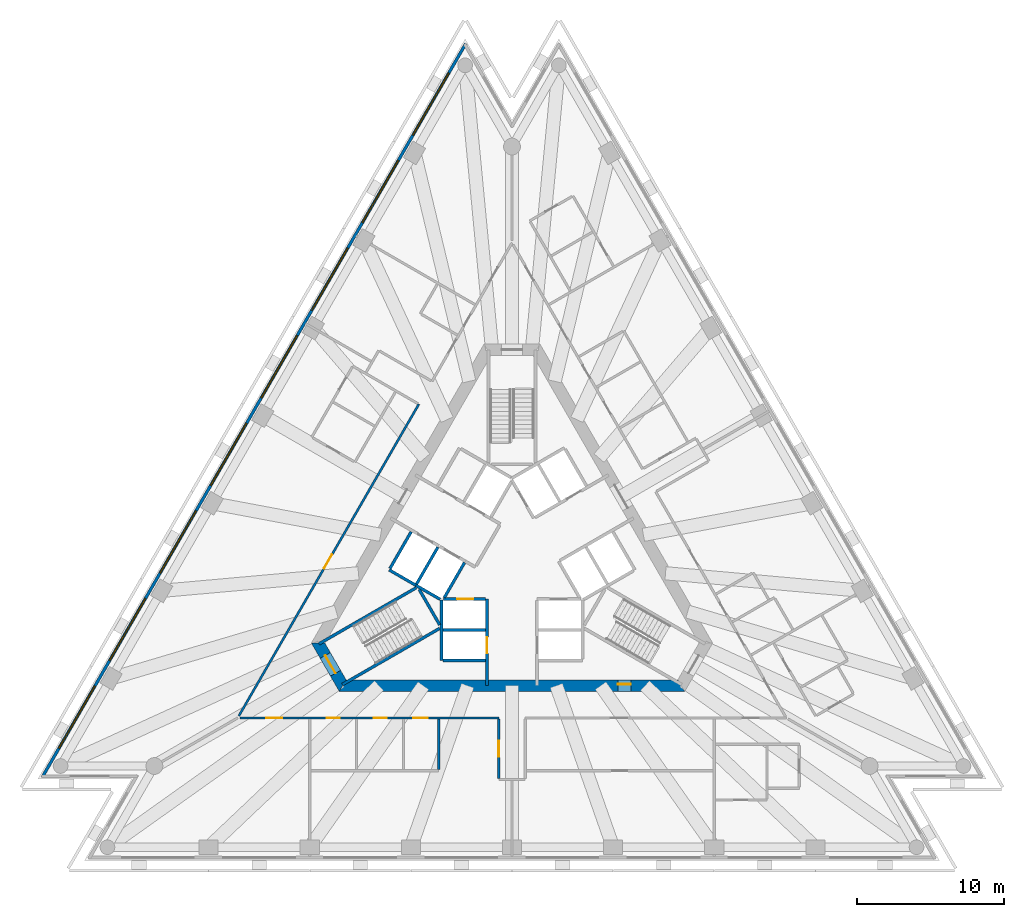
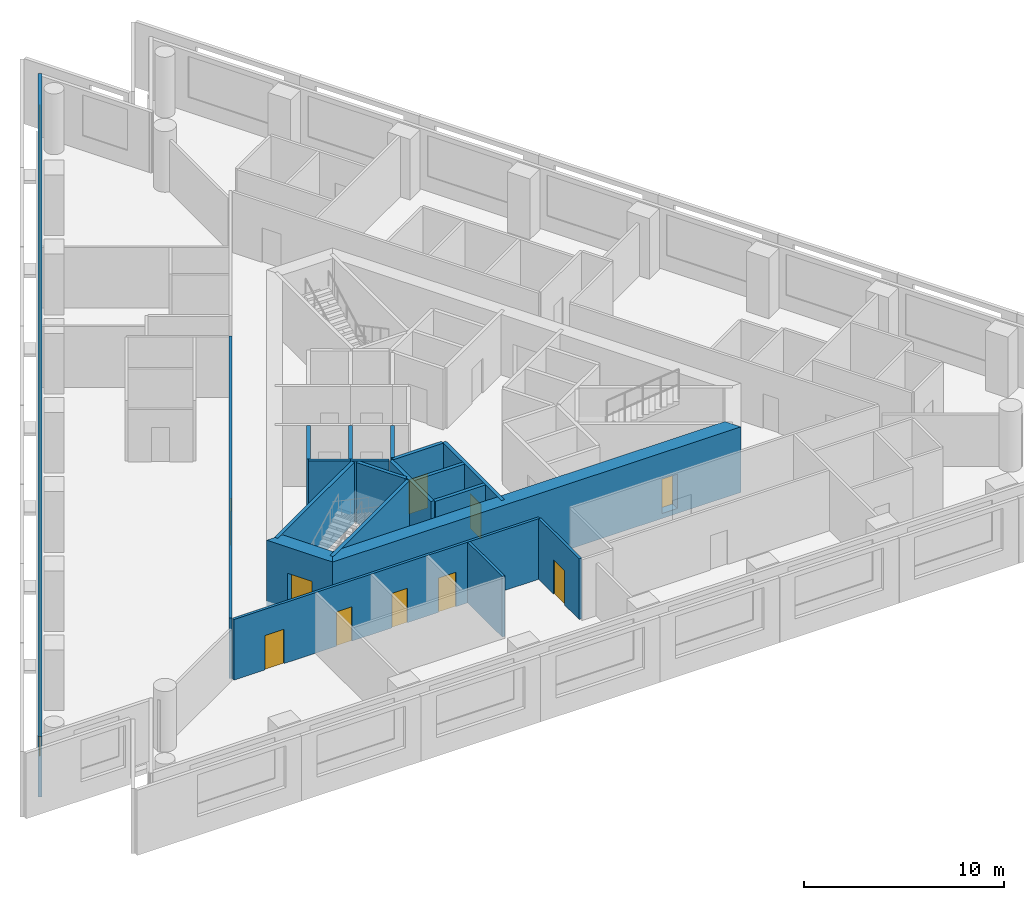
# One storey, part 3 of 10: 20 walls, 10 doors, 8 windows, 18 openings.
"""IFC4 building model written with IfcOpenShell, lengths in metres."""

from ifc_helpers import new_model, si_unit, direction, frame, frame_2d, origin, place, context, subcontext, project, spatial, polyline, rectangle, outline, extrude, material, layer, layer_set, layer_usage, type_object, element, fill, save


model = new_model("IFC4")

# Units and contexts
model_context = context("Model", 3, precision=1e-05, world=origin(), true_north=direction((0.0, 1.0)))
body_context = subcontext(model_context, "Body", "Model", "MODEL_VIEW")
ifc_project = project(units=[si_unit("LENGTHUNIT", "METRE"), si_unit("AREAUNIT", "SQUARE_METRE"), si_unit("VOLUMEUNIT", "CUBIC_METRE"), si_unit("PLANEANGLEUNIT", "RADIAN"), si_unit("MASSUNIT", "GRAM", prefix="KILO")], contexts=[model_context])

# Site, building, storey
site_placement = place(None, origin())
site = spatial("IfcSite", under=ifc_project, at=site_placement, CompositionType="ELEMENT")
building_placement = place(site_placement, origin())
building = spatial("IfcBuilding", under=site, at=building_placement, Name="Triada Interchange Tower", CompositionType="ELEMENT")
storey_placement = place(building_placement, frame((0.0, 0.0, 120.300048828125)))
storey = spatial("IfcBuildingStorey", under=building, at=storey_placement, Name="L27", CompositionType="ELEMENT", Elevation=120.300048828125)

# Walls
ifc_material_1 = material(Name="Concrete C30/37", Category="concrete")
ifc_layer_1 = layer(ifc_material_1, 0.199951171875)
ifc_layer_set_1 = layer_set([ifc_layer_1], Name="CORE WALL 200 EI 120")
wall_type_1 = type_object("IfcWallType", Name="CORE WALL 200 EI 120", PredefinedType="SOLIDWALL", material=ifc_layer_set_1)
wall_1_placement = place(storey_placement, frame((-8.3759765625, -0.70703125, 0.0), z_axis=(0.0, 0.0, 1.0), x_axis=(0.866067520717, -0.499927044236, 0.0)))
element("IfcWall", 1, at=wall_1_placement, inside=storey, type_object=wall_type_1, Name="Wall L26 60", PredefinedType="SOLIDWALL", context=body_context, shape_type="SweptSolid", body=[
    extrude(rectangle(XDim=2.100341796875, YDim=0.199951171875, at=frame_2d((1.05029296875, 0.0))), origin(), (0.0, 0.0, 1.0), 3.699951171875),
])
wall_2_placement = place(storey_placement, frame((-8.325927734375, -0.6201171875, 0.0), z_axis=(0.0, 0.0, 1.0), x_axis=(0.500023687443, 0.866011727401, 0.0)))
element("IfcWall", 2, at=wall_2_placement, inside=storey, type_object=wall_type_1, Name="Wall L26 61", PredefinedType="SOLIDWALL", context=body_context, shape_type="SweptSolid", body=[
    extrude(rectangle(XDim=2.899658203125, YDim=0.199951171875, at=frame_2d((1.44970703125, 0.0))), origin(), (0.0, 0.0, 1.0), 3.699951171875),
])
wall_3_placement = place(storey_placement, frame((-4.699951171875, -4.800048828125, 0.0), z_axis=(0.0, 0.0, 1.0), x_axis=(1.0, 0.0, 0.0)))
element("IfcWall", 3, at=wall_3_placement, inside=storey, type_object=wall_type_1, Name="Wall L26 62", PredefinedType="SOLIDWALL", context=body_context, shape_type="SweptSolid", body=[
    extrude(rectangle(XDim=2.89990234375, YDim=0.199951171875, at=frame_2d((1.449951171875, 0.0))), origin(), (0.0, 0.0, 1.0), 3.699951171875),
])
wall_4_placement = place(storey_placement, frame((-4.800048828125, -6.89990234375, 0.0), z_axis=(0.0, 0.0, 1.0), x_axis=(0.0, 1.0, 0.0)))
element("IfcWall", 4, at=wall_4_placement, inside=storey, type_object=wall_type_1, Name="Wall L26 64", PredefinedType="SOLIDWALL", context=body_context, shape_type="SweptSolid", body=[
    extrude(rectangle(XDim=4.130859375, YDim=0.199951171875, at=frame_2d((2.0654296875, 0.0))), origin(), (0.0, 0.0, 1.0), 3.699951171875),
])
wall_5_placement = place(storey_placement, frame((-4.699951171875, -6.89990234375, 0.0), z_axis=(0.0, 0.0, 1.0), x_axis=(1.0, 0.0, 0.0)))
element("IfcWall", 5, at=wall_5_placement, inside=storey, type_object=wall_type_1, Name="Wall L26 65", PredefinedType="SOLIDWALL", context=body_context, shape_type="SweptSolid", body=[
    extrude(rectangle(XDim=2.89990234375, YDim=0.199951171875, at=frame_2d((1.449951171875, 0.0))), origin(), (0.0, 0.0, 1.0), 3.699951171875),
])

# Wall, opening, door
wall_6_placement = place(storey_placement, frame((-1.699951171875, -8.580078125, 0.0), z_axis=(0.0, 0.0, 1.0), x_axis=(0.0, 1.0, 0.0)))
wall_6 = element("IfcWall", 6, at=wall_6_placement, inside=storey, type_object=wall_type_1, Name="Wall L26 67", PredefinedType="SOLIDWALL", context=body_context, shape_type="SweptSolid", body=[
    extrude(rectangle(XDim=5.877197265625, YDim=0.199951171875, at=frame_2d((2.9384765625, 0.0))), origin(), (0.0, 0.0, 1.0), 3.699951171875),
])
opening_1_placement = place(wall_6_placement, frame((2.179931640625, 0.0, 0.0)))
opening_1 = element("IfcOpeningElement", 7, at=opening_1_placement, cuts=wall_6, Name="Opening LD-LR4", PredefinedType="OPENING", context=body_context, shape_type="SweptSolid", body=[
    extrude(rectangle(XDim=1.10009765625, YDim=2.10009765625, at=frame_2d((0.550048828125, 1.050048828125))), frame((0.0, 0.10986328125, 0.0), z_axis=(0.0, -1.0, 0.0), x_axis=(1.0, 0.0, 0.0)), (0.0, 0.0, 1.0), 0.219970703125),
])
ifc_material_2 = material(Name="Steel S235 door leaf", Category="steel")
door_type_1 = type_object("IfcDoorType", Name="LIFT LANDING DOOR 1100 EI 120", OperationType="SLIDING_TO_LEFT", PredefinedType="DOOR", material=ifc_material_2)
door_1_placement = place(opening_1_placement, origin())
door_1 = element("IfcDoor", 8, at=door_1_placement, inside=storey, type_object=door_type_1, Name="LR4 landing door L27", OperationType="SLIDING_TO_LEFT", OverallHeight=2.10009765625, OverallWidth=1.10009765625, PredefinedType="DOOR", context=body_context, shape_type="SweptSolid", body=[
    extrude(rectangle(XDim=1.10009765625, YDim=2.10009765625, at=frame_2d((0.550048828125, 1.050048828125))), frame((0.0, 0.02490234375, 0.0), z_axis=(0.0, -1.0, 0.0), x_axis=(1.0, 0.0, 0.0)), (0.0, 0.0, 1.0), 0.050048828125),
])
fill(opening_1, door_1)

wall_7_placement = place(storey_placement, frame((-4.676025390625, -2.699951171875, 0.0), z_axis=(0.0, 0.0, 1.0), x_axis=(1.0, 0.0, 0.0)))
wall_7 = element("IfcWall", 9, at=wall_7_placement, inside=storey, type_object=wall_type_1, Name="Wall L26 68", PredefinedType="SOLIDWALL", context=body_context, shape_type="SweptSolid", body=[
    extrude(rectangle(XDim=2.873046875, YDim=0.199951171875, at=frame_2d((1.4365234375, 0.0))), origin(), (0.0, 0.0, 1.0), 3.699951171875),
])
opening_2_placement = place(wall_7_placement, frame((0.93701171875, 0.0, 0.0)))
opening_2 = element("IfcOpeningElement", 10, at=opening_2_placement, cuts=wall_7, Name="Opening LD-LR3", PredefinedType="OPENING", context=body_context, shape_type="SweptSolid", body=[
    extrude(rectangle(XDim=1.10009765625, YDim=2.10009765625, at=frame_2d((0.550048828125, 1.050048828125))), frame((0.0, 0.10986328125, 0.0), z_axis=(0.0, -1.0, 0.0), x_axis=(1.0, 0.0, 0.0)), (0.0, 0.0, 1.0), 0.219970703125),
])
door_2_placement = place(opening_2_placement, origin())
door_2 = element("IfcDoor", 11, at=door_2_placement, inside=storey, type_object=door_type_1, Name="LR3 landing door L27", OperationType="SLIDING_TO_LEFT", OverallHeight=2.10009765625, OverallWidth=1.10009765625, PredefinedType="DOOR", context=body_context, shape_type="SweptSolid", body=[
    extrude(rectangle(XDim=1.10009765625, YDim=2.10009765625, at=frame_2d((0.550048828125, 1.050048828125))), frame((0.0, 0.02490234375, 0.0), z_axis=(0.0, -1.0, 0.0), x_axis=(1.0, 0.0, 0.0)), (0.0, 0.0, 1.0), 0.050048828125),
])
fill(opening_2, door_2)

# Walls
ifc_layer_2 = layer(ifc_material_1, 0.199951171875)
ifc_layer_set_2 = layer_set([ifc_layer_2], Name="CORE WALL 200 EI 180")
wall_type_2 = type_object("IfcWallType", Name="CORE WALL 200 EI 180", PredefinedType="SOLIDWALL", material=ifc_layer_set_2)
wall_8_placement = place(storey_placement, frame((-6.556884765625, -1.757080078125, 0.0), z_axis=(0.0, 0.0, 1.0), x_axis=(0.8659754619, -0.500086491905, 0.0)))
element("IfcWall", 12, at=wall_8_placement, inside=storey, type_object=wall_type_2, Name="Shaft wall FF1 L26 89", PredefinedType="SOLIDWALL", context=body_context, shape_type="SweptSolid", body=[
    extrude(rectangle(XDim=1.915771484375, YDim=0.199951171875, at=frame_2d((0.9580078125, 0.0))), origin(), (0.0, 0.0, 1.0), 3.699951171875),
])
wall_9_placement = place(storey_placement, frame((-6.507080078125, -1.669921875, 0.0), z_axis=(0.0, 0.0, 1.0), x_axis=(0.50012328804, 0.865954211699, 0.0)))
element("IfcWall", 13, at=wall_9_placement, inside=storey, type_object=wall_type_2, Name="Shaft wall FF1 L26 90", PredefinedType="SOLIDWALL", context=body_context, shape_type="SweptSolid", body=[
    extrude(rectangle(XDim=2.899658203125, YDim=0.199951171875, at=frame_2d((1.44970703125, 0.0))), origin(), (0.0, 0.0, 1.0), 3.699951171875),
])
wall_10_placement = place(storey_placement, frame((-4.618896484375, -2.60009765625, 0.0), z_axis=(0.0, 0.0, 1.0), x_axis=(0.50009492287, 0.865970593103, 0.0)))
element("IfcWall", 14, at=wall_10_placement, inside=storey, type_object=wall_type_2, Name="Shaft wall FF1 L26 92", PredefinedType="SOLIDWALL", context=body_context, shape_type="SweptSolid", body=[
    extrude(rectangle(XDim=2.76123046875, YDim=0.199951171875, at=frame_2d((1.380615234375, 0.0))), origin(), (0.0, 0.0, 1.0), 3.699951171875),
])
ifc_layer_3 = layer(ifc_material_1, 0.199951171875)
ifc_layer_set_3 = layer_set([ifc_layer_3], Name="CORE WALL 200 REI 240")
wall_type_3 = type_object("IfcWallType", Name="CORE WALL 200 REI 240", PredefinedType="SOLIDWALL", material=ifc_layer_set_3)
wall_11_placement = place(storey_placement, frame((-13.1669921875, -5.75390625, 0.0), z_axis=(0.0, 0.0, 1.0), x_axis=(0.866060938598, 0.499938446846, 0.0)))
element("IfcWall", 15, at=wall_11_placement, inside=storey, type_object=wall_type_3, Name="Wall L26 97", PredefinedType="SOLIDWALL", context=body_context, shape_type="SweptSolid", body=[
    extrude(rectangle(XDim=7.66455078125, YDim=0.199951171875, at=frame_2d((3.832275390625, 0.0))), origin(), (0.0, 0.0, 1.0), 3.699951171875),
])
wall_12_placement = place(storey_placement, frame((-6.3291015625, -2.0380859375, 0.0), z_axis=(0.0, 0.0, 1.0), x_axis=(0.500200581029, -0.865909567298, 0.0)))
element("IfcWall", 16, at=wall_12_placement, inside=storey, type_object=wall_type_3, Name="Wall L26 98", PredefinedType="SOLIDWALL", context=body_context, shape_type="SweptSolid", body=[
    extrude(rectangle(XDim=2.799072265625, YDim=0.199951171875, at=frame_2d((1.3994140625, 0.0))), origin(), (0.0, 0.0, 1.0), 3.699951171875),
])
wall_13_placement = place(storey_placement, frame((-11.56689453125, -8.52587890625, 0.0), z_axis=(0.0, 0.0, 1.0), x_axis=(0.866005769735, 0.50003400563, 0.0)))
element("IfcWall", 17, at=wall_13_placement, inside=storey, type_object=wall_type_3, Name="Wall L26 99", PredefinedType="SOLIDWALL", context=body_context, shape_type="SweptSolid", body=[
    extrude(rectangle(XDim=7.6650390625, YDim=0.199951171875, at=frame_2d((3.83251953125, 0.0))), origin(), (0.0, 0.0, 1.0), 3.699951171875),
])

# Wall, opening, door
ifc_material_3 = material(Name="Concrete C60/75", Category="concrete")
ifc_layer_4 = layer(ifc_material_3, 0.800048828125)
ifc_layer_set_4 = layer_set([ifc_layer_4], Name="Core wall B 800")
wall_type_4 = type_object("IfcWallType", Name="Core wall B 800", PredefinedType="SHEAR", material=ifc_layer_set_4)
wall_14_placement = place(storey_placement, frame((-13.220947265625, -5.699951171875, -0.300048828125), z_axis=(0.0, 0.0, 1.0), x_axis=(0.49987182685, -0.866099391942, 0.0)))
wall_14 = element("IfcWall", 18, at=wall_14_placement, inside=storey, type_object=wall_type_4, Name="Core wall WB03 L27", PredefinedType="SHEAR", context=body_context, shape_type="SweptSolid", body=[
    extrude(outline(polyline([(-0.23095703125, -0.39990234375), (1.674072265625, -0.39990234375), (3.5791015625, -0.39990234375), (3.117919921875, 0.39990234375), (1.67431640625, 0.39990234375), (0.23095703125, 0.39990234375), (-0.23095703125, -0.39990234375)])), origin(), (0.0, 0.0, 1.0), 4.0),
])
opening_3_placement = place(wall_14_placement, frame((0.97412109375, 0.0, 0.300048828125)))
opening_3 = element("IfcOpeningElement", 19, at=opening_3_placement, cuts=wall_14, Name="Opening D26-42", PredefinedType="OPENING", context=body_context, shape_type="SweptSolid", body=[
    extrude(rectangle(XDim=1.39990234375, YDim=2.10009765625, at=frame_2d((0.699951171875, 1.050048828125))), frame((0.0, 0.409912109375, 0.0), z_axis=(0.0, -1.0, 0.0), x_axis=(1.0, 0.0, 0.0)), (0.0, 0.0, 1.0), 0.820068359375),
])
door_type_2 = type_object("IfcDoorType", Name="STAIR DOOR 1400 EI2 90-C5S200", OperationType="DOUBLE_DOOR_SINGLE_SWING", PredefinedType="DOOR", material=ifc_material_2)
door_3_placement = place(opening_3_placement, origin())
door_3 = element("IfcDoor", 20, at=door_3_placement, inside=storey, type_object=door_type_2, Name="Door D26-42 L27", OperationType="DOUBLE_DOOR_SINGLE_SWING", OverallHeight=2.10009765625, OverallWidth=1.39990234375, PredefinedType="DOOR", context=body_context, shape_type="SweptSolid", body=[
    extrude(rectangle(XDim=1.39990234375, YDim=2.10009765625, at=frame_2d((0.699951171875, 1.050048828125))), frame((0.0, 0.02490234375, 0.0), z_axis=(0.0, -1.0, 0.0), x_axis=(1.0, 0.0, 0.0)), (0.0, 0.0, 1.0), 0.050048828125),
])
fill(opening_3, door_3)

wall_15_placement = place(storey_placement, frame((-11.547119140625, -8.60009765625, -0.300048828125), z_axis=(0.0, 0.0, 1.0), x_axis=(1.0, 0.0, 0.0)))
wall_15 = element("IfcWall", 21, at=wall_15_placement, inside=storey, type_object=wall_type_4, Name="Core wall WB04 L27", PredefinedType="SHEAR", context=body_context, shape_type="SweptSolid", body=[
    extrude(outline(polyline([(-0.23095703125, -0.39990234375), (1.73193359375, -0.39990234375), (3.695068359375, -0.39990234375), (5.657958984375, -0.39990234375), (7.62109375, -0.39990234375), (9.583984375, -0.39990234375), (11.546875, -0.39990234375), (13.510009765625, -0.39990234375), (15.472900390625, -0.39990234375), (17.43603515625, -0.39990234375), (19.39892578125, -0.39990234375), (21.362060546875, -0.39990234375), (23.324951171875, -0.39990234375), (22.863037109375, 0.39990234375), (20.97705078125, 0.39990234375), (19.091064453125, 0.39990234375), (17.205078125, 0.39990234375), (15.319091796875, 0.39990234375), (13.43310546875, 0.39990234375), (11.546875, 0.39990234375), (9.660888671875, 0.39990234375), (7.77490234375, 0.39990234375), (5.888916015625, 0.39990234375), (4.0029296875, 0.39990234375), (2.116943359375, 0.39990234375), (0.23095703125, 0.39990234375), (-0.23095703125, -0.39990234375)])), origin(), (0.0, 0.0, 1.0), 4.0),
])
opening_4_placement = place(wall_15_placement, frame((18.760009765625, 0.0, 0.300048828125)))
opening_4 = element("IfcOpeningElement", 22, at=opening_4_placement, cuts=wall_15, Name="Opening D26-45", PredefinedType="OPENING", context=body_context, shape_type="SweptSolid", body=[
    extrude(rectangle(XDim=0.89990234375, YDim=2.10009765625, at=frame_2d((0.449951171875, 1.050048828125))), frame((0.0, 0.409912109375, 0.0), z_axis=(0.0, -1.0, 0.0), x_axis=(1.0, 0.0, 0.0)), (0.0, 0.0, 1.0), 0.820068359375),
])
door_type_3 = type_object("IfcDoorType", Name="SERVICE DOOR 900 EI2 45-C5S200", OperationType="NOTDEFINED", PredefinedType="DOOR", material=ifc_material_2)
door_4_placement = place(opening_4_placement, origin())
door_4 = element("IfcDoor", 23, at=door_4_placement, inside=storey, type_object=door_type_3, Name="Door D26-45 L27", OperationType="SINGLE_SWING_LEFT", OverallHeight=2.10009765625, OverallWidth=0.89990234375, PredefinedType="DOOR", context=body_context, shape_type="SweptSolid", body=[
    extrude(rectangle(XDim=0.89990234375, YDim=2.10009765625, at=frame_2d((0.449951171875, 1.050048828125))), frame((0.0, 0.125, 0.0), z_axis=(0.0, -1.0, 0.0), x_axis=(1.0, 0.0, 0.0)), (0.0, 0.0, 1.0), 0.050048828125),
])
fill(opening_4, door_4)

# Wall, openings, windows
ifc_material_4 = material(Name="Cement board")
ifc_layer_5 = layer(ifc_material_4, 0.02001953125, Name="Cement board cladding")
ifc_material_5 = material(Name="Sheathing board")
ifc_layer_6 = layer(ifc_material_5, 0.014892578125, Name="Sheathing board")
ifc_material_6 = material(Name="Mineral wool")
ifc_layer_7 = layer(ifc_material_6, 0.14990234375, Name="Mineral wool between steel studs")
ifc_material_7 = material(Name="Gypsum board")
ifc_layer_8 = layer(ifc_material_7, 0.014892578125, Name="Plasterboard lining")
ifc_layer_set_5 = layer_set([ifc_layer_5, ifc_layer_6, ifc_layer_7, ifc_layer_8], Name="External wall 200")
ifc_layer_usage = layer_usage(ifc_layer_set_5, "AXIS2", "POSITIVE", -0.10009765625)
wall_type_5 = type_object("IfcWallType", Name="External wall 200", PredefinedType="ELEMENTEDWALL", material=ifc_layer_set_5)
wall_16_placement = place(storey_placement, frame((-3.154052734375, 35.18505859375, 0.0), z_axis=(0.0, 0.0, 1.0), x_axis=(-0.499996704161, -0.866027306629, 0.0)))
wall_16 = element("IfcWall", 24, at=wall_16_placement, inside=storey, type_object=wall_type_5, material=ifc_layer_usage, Name="External wall L27 NW", PredefinedType="ELEMENTEDWALL", context=body_context, shape_type="SweptSolid", body=[
    extrude(rectangle(XDim=57.7685546875, YDim=0.199951171875, at=frame_2d((28.88427734375, 0.0))), origin(), (0.0, 0.0, 1.0), 3.699951171875),
])
opening_5_placement = place(wall_16_placement, frame((2.301025390625, 0.0, 0.89990234375)))
opening_5 = element("IfcOpeningElement", 25, at=opening_5_placement, cuts=wall_16, Name="Opening WB01", PredefinedType="OPENING", context=body_context, shape_type="SweptSolid", body=[
    extrude(rectangle(XDim=4.89990234375, YDim=2.5, at=frame_2d((2.449951171875, 1.25))), frame((0.0, 0.10986328125, 0.0), z_axis=(0.0, -1.0, 0.0), x_axis=(1.0, 0.0, 0.0)), (0.0, 0.0, 1.0), 0.219970703125),
])
opening_6_placement = place(wall_16_placement, frame((9.198974609375, 0.0, 0.89990234375)))
opening_6 = element("IfcOpeningElement", 26, at=opening_6_placement, cuts=wall_16, Name="Opening WB02", PredefinedType="OPENING", context=body_context, shape_type="SweptSolid", body=[
    extrude(rectangle(XDim=4.89990234375, YDim=2.5, at=frame_2d((2.449951171875, 1.25))), frame((0.0, 0.10986328125, 0.0), z_axis=(0.0, -1.0, 0.0), x_axis=(1.0, 0.0, 0.0)), (0.0, 0.0, 1.0), 0.219970703125),
])
opening_7_placement = place(wall_16_placement, frame((16.096923828125, 0.0, 0.89990234375)))
opening_7 = element("IfcOpeningElement", 27, at=opening_7_placement, cuts=wall_16, Name="Opening WB03", PredefinedType="OPENING", context=body_context, shape_type="SweptSolid", body=[
    extrude(rectangle(XDim=4.89990234375, YDim=2.5, at=frame_2d((2.449951171875, 1.25))), frame((0.0, 0.10986328125, 0.0), z_axis=(0.0, -1.0, 0.0), x_axis=(1.0, 0.0, 0.0)), (0.0, 0.0, 1.0), 0.219970703125),
])
opening_8_placement = place(wall_16_placement, frame((22.9951171875, 0.0, 0.89990234375)))
opening_8 = element("IfcOpeningElement", 28, at=opening_8_placement, cuts=wall_16, Name="Opening WB04", PredefinedType="OPENING", context=body_context, shape_type="SweptSolid", body=[
    extrude(rectangle(XDim=4.89990234375, YDim=2.5, at=frame_2d((2.449951171875, 1.25))), frame((0.0, 0.10986328125, 0.0), z_axis=(0.0, -1.0, 0.0), x_axis=(1.0, 0.0, 0.0)), (0.0, 0.0, 1.0), 0.219970703125),
])
opening_9_placement = place(wall_16_placement, frame((29.89306640625, 0.0, 0.89990234375)))
opening_9 = element("IfcOpeningElement", 29, at=opening_9_placement, cuts=wall_16, Name="Opening WB05", PredefinedType="OPENING", context=body_context, shape_type="SweptSolid", body=[
    extrude(rectangle(XDim=4.89990234375, YDim=2.5, at=frame_2d((2.449951171875, 1.25))), frame((0.0, 0.10986328125, 0.0), z_axis=(0.0, -1.0, 0.0), x_axis=(1.0, 0.0, 0.0)), (0.0, 0.0, 1.0), 0.219970703125),
])
opening_10_placement = place(wall_16_placement, frame((36.791015625, 0.0, 0.89990234375)))
opening_10 = element("IfcOpeningElement", 30, at=opening_10_placement, cuts=wall_16, Name="Opening WB06", PredefinedType="OPENING", context=body_context, shape_type="SweptSolid", body=[
    extrude(rectangle(XDim=4.89990234375, YDim=2.5, at=frame_2d((2.449951171875, 1.25))), frame((0.0, 0.10986328125, 0.0), z_axis=(0.0, -1.0, 0.0), x_axis=(1.0, 0.0, 0.0)), (0.0, 0.0, 1.0), 0.219970703125),
])
opening_11_placement = place(wall_16_placement, frame((43.68896484375, 0.0, 0.89990234375)))
opening_11 = element("IfcOpeningElement", 31, at=opening_11_placement, cuts=wall_16, Name="Opening WB07", PredefinedType="OPENING", context=body_context, shape_type="SweptSolid", body=[
    extrude(rectangle(XDim=4.89990234375, YDim=2.5, at=frame_2d((2.449951171875, 1.25))), frame((0.0, 0.10986328125, 0.0), z_axis=(0.0, -1.0, 0.0), x_axis=(1.0, 0.0, 0.0)), (0.0, 0.0, 1.0), 0.219970703125),
])
opening_12_placement = place(wall_16_placement, frame((50.5859375, 0.0, 0.89990234375)))
opening_12 = element("IfcOpeningElement", 32, at=opening_12_placement, cuts=wall_16, Name="Opening WB08", PredefinedType="OPENING", context=body_context, shape_type="SweptSolid", body=[
    extrude(rectangle(XDim=4.89990234375, YDim=2.5, at=frame_2d((2.449951171875, 1.25))), frame((0.0, 0.10986328125, 0.0), z_axis=(0.0, -1.0, 0.0), x_axis=(1.0, 0.0, 0.0)), (0.0, 0.0, 1.0), 0.219970703125),
])
ifc_material_8 = material(Name="Double glazed aluminium window", Category="aluminium")
window_type = type_object("IfcWindowType", Name="Ribbon window B face", PartitioningType="SINGLE_PANEL", PredefinedType="WINDOW", material=ifc_material_8)
window_1_placement = place(opening_5_placement, origin())
window_1 = element("IfcWindow", 33, at=window_1_placement, inside=storey, type_object=window_type, Name="Window L27 NW 1", OverallHeight=2.5, OverallWidth=4.89990234375, PartitioningType="SINGLE_PANEL", PredefinedType="WINDOW", context=body_context, shape_type="SweptSolid", body=[
    extrude(rectangle(XDim=4.89990234375, YDim=2.5, at=frame_2d((2.449951171875, 1.25))), frame((0.0, 0.030029296875, 0.0), z_axis=(0.0, -1.0, 0.0), x_axis=(1.0, 0.0, 0.0)), (0.0, 0.0, 1.0), 0.06005859375),
])
fill(opening_5, window_1)
window_2_placement = place(opening_6_placement, origin())
window_2 = element("IfcWindow", 34, at=window_2_placement, inside=storey, type_object=window_type, Name="Window L27 NW 2", OverallHeight=2.5, OverallWidth=4.89990234375, PartitioningType="SINGLE_PANEL", PredefinedType="WINDOW", context=body_context, shape_type="SweptSolid", body=[
    extrude(rectangle(XDim=4.89990234375, YDim=2.5, at=frame_2d((2.449951171875, 1.25))), frame((0.0, 0.030029296875, 0.0), z_axis=(0.0, -1.0, 0.0), x_axis=(1.0, 0.0, 0.0)), (0.0, 0.0, 1.0), 0.06005859375),
])
fill(opening_6, window_2)
window_3_placement = place(opening_7_placement, origin())
window_3 = element("IfcWindow", 35, at=window_3_placement, inside=storey, type_object=window_type, Name="Window L27 NW 3", OverallHeight=2.5, OverallWidth=4.89990234375, PartitioningType="SINGLE_PANEL", PredefinedType="WINDOW", context=body_context, shape_type="SweptSolid", body=[
    extrude(rectangle(XDim=4.89990234375, YDim=2.5, at=frame_2d((2.449951171875, 1.25))), frame((0.0, 0.030029296875, 0.0), z_axis=(0.0, -1.0, 0.0), x_axis=(1.0, 0.0, 0.0)), (0.0, 0.0, 1.0), 0.06005859375),
])
fill(opening_7, window_3)
window_4_placement = place(opening_8_placement, origin())
window_4 = element("IfcWindow", 36, at=window_4_placement, inside=storey, type_object=window_type, Name="Window L27 NW 4", OverallHeight=2.5, OverallWidth=4.89990234375, PartitioningType="SINGLE_PANEL", PredefinedType="WINDOW", context=body_context, shape_type="SweptSolid", body=[
    extrude(rectangle(XDim=4.89990234375, YDim=2.5, at=frame_2d((2.449951171875, 1.25))), frame((0.0, 0.030029296875, 0.0), z_axis=(0.0, -1.0, 0.0), x_axis=(1.0, 0.0, 0.0)), (0.0, 0.0, 1.0), 0.06005859375),
])
fill(opening_8, window_4)
window_5_placement = place(opening_9_placement, origin())
window_5 = element("IfcWindow", 37, at=window_5_placement, inside=storey, type_object=window_type, Name="Window L27 NW 5", OverallHeight=2.5, OverallWidth=4.89990234375, PartitioningType="SINGLE_PANEL", PredefinedType="WINDOW", context=body_context, shape_type="SweptSolid", body=[
    extrude(rectangle(XDim=4.89990234375, YDim=2.5, at=frame_2d((2.449951171875, 1.25))), frame((0.0, 0.030029296875, 0.0), z_axis=(0.0, -1.0, 0.0), x_axis=(1.0, 0.0, 0.0)), (0.0, 0.0, 1.0), 0.06005859375),
])
fill(opening_9, window_5)
window_6_placement = place(opening_10_placement, origin())
window_6 = element("IfcWindow", 38, at=window_6_placement, inside=storey, type_object=window_type, Name="Window L27 NW 6", OverallHeight=2.5, OverallWidth=4.89990234375, PartitioningType="SINGLE_PANEL", PredefinedType="WINDOW", context=body_context, shape_type="SweptSolid", body=[
    extrude(rectangle(XDim=4.89990234375, YDim=2.5, at=frame_2d((2.449951171875, 1.25))), frame((0.0, 0.030029296875, 0.0), z_axis=(0.0, -1.0, 0.0), x_axis=(1.0, 0.0, 0.0)), (0.0, 0.0, 1.0), 0.06005859375),
])
fill(opening_10, window_6)
window_7_placement = place(opening_11_placement, origin())
window_7 = element("IfcWindow", 39, at=window_7_placement, inside=storey, type_object=window_type, Name="Window L27 NW 7", OverallHeight=2.5, OverallWidth=4.89990234375, PartitioningType="SINGLE_PANEL", PredefinedType="WINDOW", context=body_context, shape_type="SweptSolid", body=[
    extrude(rectangle(XDim=4.89990234375, YDim=2.5, at=frame_2d((2.449951171875, 1.25))), frame((0.0, 0.030029296875, 0.0), z_axis=(0.0, -1.0, 0.0), x_axis=(1.0, 0.0, 0.0)), (0.0, 0.0, 1.0), 0.06005859375),
])
fill(opening_11, window_7)
window_8_placement = place(opening_12_placement, origin())
window_8 = element("IfcWindow", 40, at=window_8_placement, inside=storey, type_object=window_type, Name="Window L27 NW 8", OverallHeight=2.5, OverallWidth=4.89990234375, PartitioningType="SINGLE_PANEL", PredefinedType="WINDOW", context=body_context, shape_type="SweptSolid", body=[
    extrude(rectangle(XDim=4.89990234375, YDim=2.5, at=frame_2d((2.449951171875, 1.25))), frame((0.0, 0.030029296875, 0.0), z_axis=(0.0, -1.0, 0.0), x_axis=(1.0, 0.0, 0.0)), (0.0, 0.0, 1.0), 0.06005859375),
])
fill(opening_12, window_8)

# Wall, openings, doors
ifc_material_9 = material(Name="Gypsum board partition")
ifc_layer_9 = layer(ifc_material_9, 0.14990234375)
ifc_layer_set_6 = layer_set([ifc_layer_9], Name="PARTITION 150 EI 180")
wall_type_6 = type_object("IfcWallType", Name="PARTITION 150 EI 180", PredefinedType="PARTITIONING", material=ifc_layer_set_6)
wall_17_placement = place(storey_placement, frame((-18.554931640625, -10.800048828125, 0.0), z_axis=(0.0, 0.0, 1.0), x_axis=(1.0, 0.0, 0.0)))
wall_17 = element("IfcWall", 41, at=wall_17_placement, inside=storey, type_object=wall_type_6, Name="Wall L26 3", PredefinedType="PARTITIONING", context=body_context, shape_type="SweptSolid", body=[
    extrude(rectangle(XDim=17.654052734375, YDim=0.14990234375, at=frame_2d((8.8271484375, 0.0))), origin(), (0.0, 0.0, 1.0), 3.699951171875),
])
opening_13_placement = place(wall_17_placement, frame((1.800048828125, 0.0, 0.0)))
opening_13 = element("IfcOpeningElement", 42, at=opening_13_placement, cuts=wall_17, Name="Opening D26-11", PredefinedType="OPENING", context=body_context, shape_type="SweptSolid", body=[
    extrude(rectangle(XDim=1.10009765625, YDim=2.10009765625, at=frame_2d((0.550048828125, 1.050048828125))), frame((0.0, 0.0849609375, 0.0), z_axis=(0.0, -1.0, 0.0), x_axis=(1.0, 0.0, 0.0)), (0.0, 0.0, 1.0), 0.169921875),
])
opening_14_placement = place(wall_17_placement, frame((5.908935546875, 0.0, 0.0)))
opening_14 = element("IfcOpeningElement", 43, at=opening_14_placement, cuts=wall_17, Name="Opening D26-13", PredefinedType="OPENING", context=body_context, shape_type="SweptSolid", body=[
    extrude(rectangle(XDim=0.89990234375, YDim=2.10009765625, at=frame_2d((0.449951171875, 1.050048828125))), frame((0.0, 0.0849609375, 0.0), z_axis=(0.0, -1.0, 0.0), x_axis=(1.0, 0.0, 0.0)), (0.0, 0.0, 1.0), 0.169921875),
])
opening_15_placement = place(wall_17_placement, frame((9.10888671875, 0.0, 0.0)))
opening_15 = element("IfcOpeningElement", 44, at=opening_15_placement, cuts=wall_17, Name="Opening D26-14", PredefinedType="OPENING", context=body_context, shape_type="SweptSolid", body=[
    extrude(rectangle(XDim=0.89990234375, YDim=2.10009765625, at=frame_2d((0.449951171875, 1.050048828125))), frame((0.0, 0.0849609375, 0.0), z_axis=(0.0, -1.0, 0.0), x_axis=(1.0, 0.0, 0.0)), (0.0, 0.0, 1.0), 0.169921875),
])
opening_16_placement = place(wall_17_placement, frame((11.80908203125, 0.0, 0.0)))
opening_16 = element("IfcOpeningElement", 45, at=opening_16_placement, cuts=wall_17, Name="Opening D26-15", PredefinedType="OPENING", context=body_context, shape_type="SweptSolid", body=[
    extrude(rectangle(XDim=1.0, YDim=2.10009765625, at=frame_2d((0.5, 1.050048828125))), frame((0.0, 0.0849609375, 0.0), z_axis=(0.0, -1.0, 0.0), x_axis=(1.0, 0.0, 0.0)), (0.0, 0.0, 1.0), 0.169921875),
])
door_type_4 = type_object("IfcDoorType", Name="ROOM DOOR 1000 EI2 90-C5S200", OperationType="NOTDEFINED", PredefinedType="DOOR", material=ifc_material_2)
door_5_placement = place(opening_16_placement, origin())
door_5 = element("IfcDoor", 46, at=door_5_placement, inside=storey, type_object=door_type_4, Name="Door D26-15 L27", OperationType="SINGLE_SWING_LEFT", OverallHeight=2.10009765625, OverallWidth=1.0, PredefinedType="DOOR", context=body_context, shape_type="SweptSolid", body=[
    extrude(rectangle(XDim=1.0, YDim=2.10009765625, at=frame_2d((0.5, 1.050048828125))), frame((0.0, 0.02490234375, 0.0), z_axis=(0.0, -1.0, 0.0), x_axis=(1.0, 0.0, 0.0)), (0.0, 0.0, 1.0), 0.050048828125),
])
fill(opening_16, door_5)
door_type_5 = type_object("IfcDoorType", Name="ROOM DOOR 900 EI2 90-C5S200", OperationType="NOTDEFINED", PredefinedType="DOOR", material=ifc_material_2)
door_6_placement = place(opening_14_placement, origin())
door_6 = element("IfcDoor", 47, at=door_6_placement, inside=storey, type_object=door_type_5, Name="Door D26-13 L27", OperationType="SINGLE_SWING_RIGHT", OverallHeight=2.10009765625, OverallWidth=0.89990234375, PredefinedType="DOOR", context=body_context, shape_type="SweptSolid", body=[
    extrude(rectangle(XDim=0.89990234375, YDim=2.10009765625, at=frame_2d((0.449951171875, 1.050048828125))), frame((0.0, 0.02490234375, 0.0), z_axis=(0.0, -1.0, 0.0), x_axis=(1.0, 0.0, 0.0)), (0.0, 0.0, 1.0), 0.050048828125),
])
fill(opening_14, door_6)
door_7_placement = place(opening_15_placement, origin())
door_7 = element("IfcDoor", 48, at=door_7_placement, inside=storey, type_object=door_type_5, Name="Door D26-14 L27", OperationType="SINGLE_SWING_RIGHT", OverallHeight=2.10009765625, OverallWidth=0.89990234375, PredefinedType="DOOR", context=body_context, shape_type="SweptSolid", body=[
    extrude(rectangle(XDim=0.89990234375, YDim=2.10009765625, at=frame_2d((0.449951171875, 1.050048828125))), frame((0.0, 0.02490234375, 0.0), z_axis=(0.0, -1.0, 0.0), x_axis=(1.0, 0.0, 0.0)), (0.0, 0.0, 1.0), 0.050048828125),
])
fill(opening_15, door_7)
door_type_6 = type_object("IfcDoorType", Name="TENANCY ENTRANCE DOOR 1100 EI2 90-C5S200", OperationType="NOTDEFINED", PredefinedType="DOOR", material=ifc_material_2)
door_8_placement = place(opening_13_placement, origin())
door_8 = element("IfcDoor", 49, at=door_8_placement, inside=storey, type_object=door_type_6, Name="Door D26-11 L27", OperationType="SINGLE_SWING_RIGHT", OverallHeight=2.10009765625, OverallWidth=1.10009765625, PredefinedType="DOOR", context=body_context, shape_type="SweptSolid", body=[
    extrude(rectangle(XDim=1.10009765625, YDim=2.10009765625, at=frame_2d((0.550048828125, 1.050048828125))), frame((0.0, 0.02490234375, 0.0), z_axis=(0.0, -1.0, 0.0), x_axis=(1.0, 0.0, 0.0)), (0.0, 0.0, 1.0), 0.050048828125),
])
fill(opening_13, door_8)

# Wall, opening, door
wall_18_placement = place(storey_placement, frame((-18.631103515625, -10.669921875, 0.0), z_axis=(0.0, 0.0, 1.0), x_axis=(0.499981532133, 0.86603606595, 0.0)))
wall_18 = element("IfcWall", 50, at=wall_18_placement, inside=storey, type_object=wall_type_6, Name="Wall L26 5", PredefinedType="PARTITIONING", context=body_context, shape_type="SweptSolid", body=[
    extrude(rectangle(XDim=24.55322265625, YDim=0.14990234375, at=frame_2d((12.276611328125, 0.0))), origin(), (0.0, 0.0, 1.0), 3.699951171875),
])
opening_17_placement = place(wall_18_placement, frame((11.60400390625, 0.0, 0.0)))
opening_17 = element("IfcOpeningElement", 51, at=opening_17_placement, cuts=wall_18, Name="Opening D26-37", PredefinedType="OPENING", context=body_context, shape_type="SweptSolid", body=[
    extrude(rectangle(XDim=1.10009765625, YDim=2.10009765625, at=frame_2d((0.550048828125, 1.050048828125))), frame((0.0, 0.0849609375, 0.0), z_axis=(0.0, -1.0, 0.0), x_axis=(1.0, 0.0, 0.0)), (0.0, 0.0, 1.0), 0.169921875),
])
door_9_placement = place(opening_17_placement, origin())
door_9 = element("IfcDoor", 52, at=door_9_placement, inside=storey, type_object=door_type_6, Name="Door D26-37 L27", OperationType="SINGLE_SWING_LEFT", OverallHeight=2.10009765625, OverallWidth=1.10009765625, PredefinedType="DOOR", context=body_context, shape_type="SweptSolid", body=[
    extrude(rectangle(XDim=1.10009765625, YDim=2.10009765625, at=frame_2d((0.550048828125, 1.050048828125))), frame((0.0, 0.02490234375, 0.0), z_axis=(0.0, -1.0, 0.0), x_axis=(1.0, 0.0, 0.0)), (0.0, 0.0, 1.0), 0.050048828125),
])
fill(opening_17, door_9)

# Wall
wall_19_placement = place(storey_placement, frame((-4.99609375, -14.324951171875, 0.0), z_axis=(0.0, 0.0, 1.0), x_axis=(0.0, 1.0, 0.0)))
element("IfcWall", 53, at=wall_19_placement, inside=storey, type_object=wall_type_6, Name="Wall L26 15", PredefinedType="PARTITIONING", context=body_context, shape_type="SweptSolid", body=[
    extrude(rectangle(XDim=3.449951171875, YDim=0.14990234375, at=frame_2d((1.72509765625, 0.0))), origin(), (0.0, 0.0, 1.0), 3.699951171875),
])

# Wall, opening, door
wall_20_placement = place(storey_placement, frame((-0.89990234375, -14.925048828125, 0.0), z_axis=(0.0, 0.0, 1.0), x_axis=(0.0, 1.0, 0.0)))
wall_20 = element("IfcWall", 54, at=wall_20_placement, inside=storey, type_object=wall_type_6, Name="Wall L26 20", PredefinedType="PARTITIONING", context=body_context, shape_type="SweptSolid", body=[
    extrude(rectangle(XDim=4.049072265625, YDim=0.14990234375, at=frame_2d((2.0244140625, 0.0))), origin(), (0.0, 0.0, 1.0), 3.699951171875),
])
opening_18_placement = place(wall_20_placement, frame((1.47509765625, 0.0, 0.0)))
opening_18 = element("IfcOpeningElement", 55, at=opening_18_placement, cuts=wall_20, Name="Opening D26-12", PredefinedType="OPENING", context=body_context, shape_type="SweptSolid", body=[
    extrude(rectangle(XDim=1.10009765625, YDim=2.10009765625, at=frame_2d((0.550048828125, 1.050048828125))), frame((0.0, 0.0849609375, 0.0), z_axis=(0.0, -1.0, 0.0), x_axis=(1.0, 0.0, 0.0)), (0.0, 0.0, 1.0), 0.169921875),
])
door_10_placement = place(opening_18_placement, origin())
door_10 = element("IfcDoor", 56, at=door_10_placement, inside=storey, type_object=door_type_6, Name="Door D26-12 L27", OperationType="SINGLE_SWING_LEFT", OverallHeight=2.10009765625, OverallWidth=1.10009765625, PredefinedType="DOOR", context=body_context, shape_type="SweptSolid", body=[
    extrude(rectangle(XDim=1.10009765625, YDim=2.10009765625, at=frame_2d((0.550048828125, 1.050048828125))), frame((0.0, 0.02490234375, 0.0), z_axis=(0.0, -1.0, 0.0), x_axis=(1.0, 0.0, 0.0)), (0.0, 0.0, 1.0), 0.050048828125),
])
fill(opening_18, door_10)

save(model, "model.ifc")
